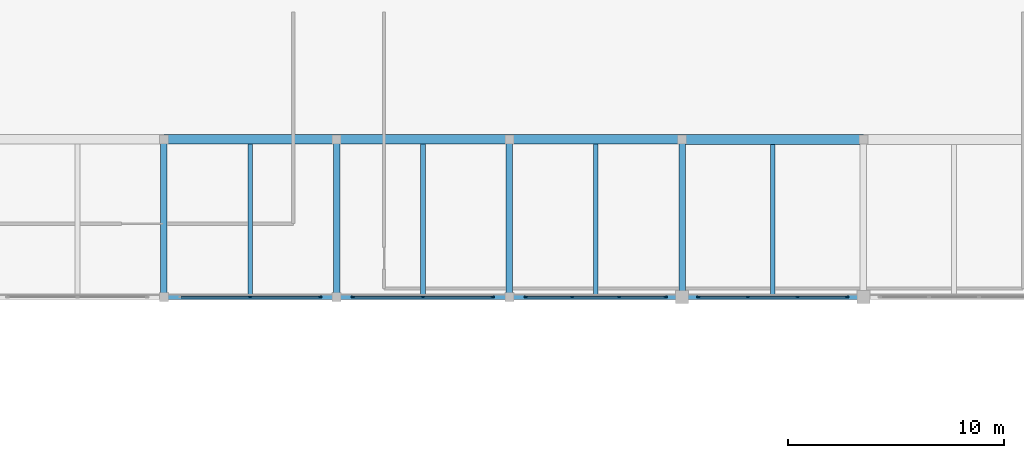
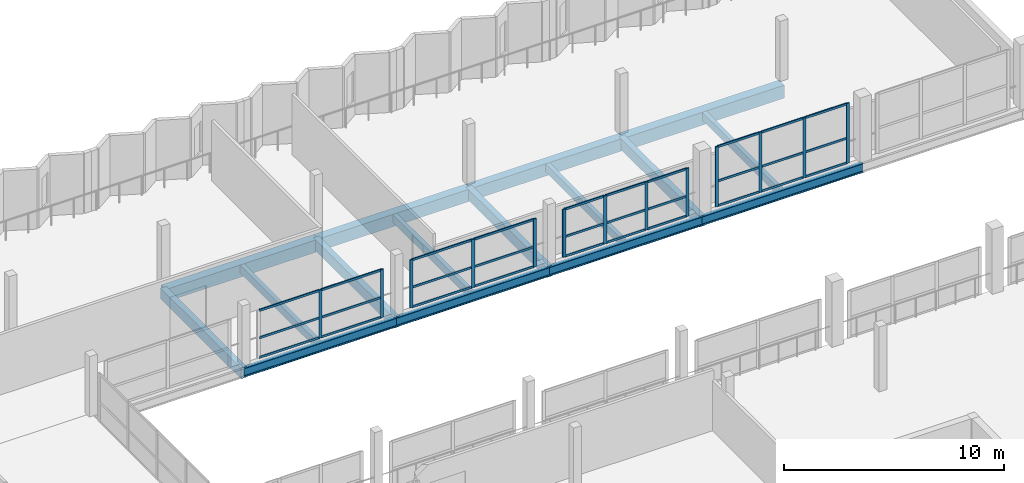
# One storey, part 23 of 51: 43 members, 16 beams, 4 elements without a shape of their own.
"""IFC4 building model written with IfcOpenShell, lengths in metres."""

import ifcopenshell
import ifcopenshell.guid

model = None  # the IFC model being written
_history = None  # IfcOwnerHistory: only IFC2X3 demands one
_inside = {}  # id of a spatial element -> (the spatial element, [elements in it])
_under = {}  # id of a project, library or spatial element -> (it, [spatial elements below it])
_declared = {}  # id of a project -> (the project, [libraries it declares])
_typed = {}  # id of a type object -> (the type object, [elements of that type])
_made_of = {}  # id of a material, layer set ... -> (it, [elements and type objects made of it])


def new_model(schema):
    """Start an empty IFC model of exactly this schema.

    Asked for "IFC4X3", IfcOpenShell would pick the latest addendum, in which some entities
    have other attributes; the version numbers below select the first issue.
    IFC2X3 requires an IfcOwnerHistory on every rooted entity: one is made here for all.
    """
    global model, _history
    if schema == "IFC4X3":
        model = ifcopenshell.file(schema_version=(4, 3, 0, 0))
    else:
        model = ifcopenshell.file(schema=schema)
    _inside.clear()
    _under.clear()
    _declared.clear()
    _typed.clear()
    _made_of.clear()
    _history = None
    if model.schema == "IFC2X3":
        org = make("IfcOrganization", Name="unknown")
        user = make(
            "IfcPersonAndOrganization",
            ThePerson=make("IfcPerson", FamilyName="unknown"),
            TheOrganization=org,
        )
        app = make(
            "IfcApplication",
            ApplicationDeveloper=org,
            Version="unknown",
            ApplicationFullName="unknown",
            ApplicationIdentifier="unknown",
        )
        _history = make(
            "IfcOwnerHistory",
            OwningUser=user,
            OwningApplication=app,
            ChangeAction="ADDED",
            CreationDate=0,
        )
    return model


def make(cls, **values):
    """One entity of the class cls with the attributes given. An attribute that is None is left unset."""
    return model.create_entity(
        cls, **{name: value for name, value in values.items() if value is not None}
    )


def rooted(cls, **values):
    """An entity with a GlobalId (a new one), such as an element, a storey or a relation."""
    return make(cls, GlobalId=ifcopenshell.guid.new(), OwnerHistory=_history, **values)


def si_unit(unit_type, name, prefix=None):
    """IfcSIUnit, for example si_unit("LENGTHUNIT", "METRE", prefix="MILLI")."""
    return make("IfcSIUnit", UnitType=unit_type, Prefix=prefix, Name=name)


def assignment(units):
    """IfcUnitAssignment: the units of a project."""
    return None if units is None else make("IfcUnitAssignment", Units=units)


def point(xyz):
    """IfcCartesianPoint."""
    return None if xyz is None else make("IfcCartesianPoint", Coordinates=xyz)


def direction(xyz):
    """IfcDirection."""
    return None if xyz is None else make("IfcDirection", DirectionRatios=xyz)


def frame(location, z_axis=None, x_axis=None):
    """IfcAxis2Placement3D, a coordinate frame: its origin and axes. An axis left out is left unset."""
    return make(
        "IfcAxis2Placement3D",
        Location=point(location),
        Axis=direction(z_axis),
        RefDirection=direction(x_axis),
    )


def frame_2d(location, x_axis=None):
    """IfcAxis2Placement2D, a coordinate frame in the plane: its origin and x axis."""
    return make(
        "IfcAxis2Placement2D", Location=point(location), RefDirection=direction(x_axis)
    )


def origin():
    """The frame at (0, 0, 0) with its axes left unset."""
    return frame((0.0, 0.0, 0.0))


def origin_2d():
    """The frame at (0, 0) in the plane with its x axis left unset."""
    return frame_2d((0.0, 0.0))


def place(relative_to, where):
    """IfcLocalPlacement: puts the frame where relative to a parent placement (None: the world)."""
    return make(
        "IfcLocalPlacement", PlacementRelTo=relative_to, RelativePlacement=where
    )


def context(
    kind, dimensions, precision=None, world=None, true_north=None, identifier=None
):
    """IfcGeometricRepresentationContext, for example the 3D "Model" context."""
    return make(
        "IfcGeometricRepresentationContext",
        ContextIdentifier=identifier,
        ContextType=kind,
        CoordinateSpaceDimension=dimensions,
        Precision=precision,
        WorldCoordinateSystem=world,
        TrueNorth=true_north,
    )


def subcontext(parent, identifier, kind, view, scale=None):
    """IfcGeometricRepresentationSubContext, for example "Body" below "Model"."""
    return make(
        "IfcGeometricRepresentationSubContext",
        ContextIdentifier=identifier,
        ContextType=kind,
        ParentContext=parent,
        TargetScale=scale,
        TargetView=view,
    )


def project(units=None, contexts=None):
    """IfcProject with its units and contexts."""
    return rooted(
        "IfcProject",
        Name="project",
        RepresentationContexts=contexts,
        UnitsInContext=assignment(units),
    )


def spatial(cls, under=None, at=None, **own):
    """A site, building, storey or space (cls), placed at a placement, below another one or the project."""
    s = rooted(cls, ObjectPlacement=at, **own)
    if under is not None:
        _under.setdefault(under.id(), (under, []))[1].append(s)
    return s


def profile(cls, at=None, kind="AREA", **sizes):
    """A parametric profile (cls). Its sizes go by their IFC names, for example OverallWidth=200.0."""
    return make(cls, ProfileType=kind, Position=at, **sizes)


def rectangle(**sizes):
    """IfcRectangleProfileDef."""
    return profile("IfcRectangleProfileDef", **sizes)


def i_section(**sizes):
    """IfcIShapeProfileDef."""
    return profile("IfcIShapeProfileDef", **sizes)


def extrude(swept, where, along, depth):
    """IfcExtrudedAreaSolid: the profile swept, set in the frame where, extruded along a direction by depth."""
    return make(
        "IfcExtrudedAreaSolid",
        SweptArea=swept,
        Position=where,
        ExtrudedDirection=direction(along),
        Depth=depth,
    )


def shape(context_of_items, identifier, shape_type, items):
    """IfcShapeRepresentation: the items that make up one representation, for example the "Body"."""
    return make(
        "IfcShapeRepresentation",
        ContextOfItems=context_of_items,
        RepresentationIdentifier=identifier,
        RepresentationType=shape_type,
        Items=items,
    )


def material(Name=None, Category=None):
    """IfcMaterial."""
    return make("IfcMaterial", Name=Name, Category=Category)


def material_profile(
    of_material, cross_section, Name=None, Category=None, Priority=None
):
    """IfcMaterialProfile: a cross section and its material."""
    return make(
        "IfcMaterialProfile",
        Name=Name,
        Material=of_material,
        Profile=cross_section,
        Priority=Priority,
        Category=Category,
    )


def profile_set(profiles, Name=None, composite=None):
    """IfcMaterialProfileSet."""
    return make(
        "IfcMaterialProfileSet",
        Name=Name,
        MaterialProfiles=profiles,
        CompositeProfile=composite,
    )


def made_of(thing, what):
    """Note that an element or type object is made of a material, layer set ...; save() writes the relation."""
    if what is not None:
        _made_of.setdefault(what.id(), (what, []))[1].append(thing)
    return thing


def type_object(cls, material=None, **own):
    """A type object (cls), such as IfcWallType, which elements share."""
    return made_of(rooted(cls, **own), material)


def element(
    cls,
    number,
    at=None,
    inside=None,
    cuts=None,
    type_object=None,
    material=None,
    context=None,
    identifier="Body",
    shape_type=None,
    held_by="IfcProductDefinitionShape",
    body=None,
    shapes=None,
    **own,
):
    """One element of the class cls, such as IfcWall. Its Tag is "e" and its number.

    at: its placement. inside: the storey or other place that contains it. cuts: it is an
    opening in that element (IfcRelVoidsElement). A single representation is given by context,
    identifier, shape_type and body (its items); several are given by shapes. held_by: the class
    of the entity that holds the representations. save() writes the other relations.
    """
    e = rooted(cls, Tag="e%d" % number, ObjectPlacement=at, **own)
    if body is not None:
        shapes = [shape(context, identifier, shape_type, body)]
    if shapes is not None:
        e.Representation = make(held_by, Representations=shapes)
    if inside is not None:
        _inside.setdefault(inside.id(), (inside, []))[1].append(e)
    if cuts is not None:
        rooted(
            "IfcRelVoidsElement", RelatingBuildingElement=cuts, RelatedOpeningElement=e
        )
    if type_object is not None:
        _typed.setdefault(type_object.id(), (type_object, []))[1].append(e)
    return made_of(e, material)


def aggregate(whole, parts):
    """IfcRelAggregates: a whole, such as a stair, and the parts it consists of."""
    return rooted("IfcRelAggregates", RelatingObject=whole, RelatedObjects=parts)


def save(model, path):
    """Write the relations noted so far, then the file.

    IfcRelAggregates (storeys below a building ...), IfcRelContainedInSpatialStructure (elements
    in a storey), IfcRelDefinesByType, IfcRelAssociatesMaterial and IfcRelDeclares: one each for
    every whole, place, type object, material and project.
    """
    for whole, parts in _under.values():
        aggregate(whole, parts)
    for where, things in _inside.values():
        rooted(
            "IfcRelContainedInSpatialStructure",
            RelatedElements=things,
            RelatingStructure=where,
        )
    for kind, things in _typed.values():
        rooted("IfcRelDefinesByType", RelatedObjects=things, RelatingType=kind)
    for what, things in _made_of.values():
        rooted("IfcRelAssociatesMaterial", RelatedObjects=things, RelatingMaterial=what)
    for by, libraries in _declared.values():
        rooted("IfcRelDeclares", RelatingContext=by, RelatedDefinitions=libraries)
    model.write(path)


model = new_model("IFC4")

# Units and contexts
model_context = context("Model", 3, precision=1e-05, world=origin(), true_north=direction((0.0, 1.0)))
body_context = subcontext(model_context, "Body", "Model", "MODEL_VIEW")
ifc_project = project(units=[si_unit("LENGTHUNIT", "METRE"), si_unit("AREAUNIT", "SQUARE_METRE"), si_unit("VOLUMEUNIT", "CUBIC_METRE"), si_unit("PLANEANGLEUNIT", "RADIAN"), si_unit("MASSUNIT", "GRAM", prefix="KILO")], contexts=[model_context])

# Site, building, storey
site_placement = place(None, origin())
site = spatial("IfcSite", under=ifc_project, at=site_placement, CompositionType="ELEMENT")
building_placement = place(site_placement, origin())
building = spatial("IfcBuilding", under=site, at=building_placement, Name="Vharandega Faculty of Natural Sciences", CompositionType="ELEMENT")
storey_placement = place(building_placement, frame((0.0, 0.0, 14.39990234375)))
storey = spatial("IfcBuildingStorey", under=building, at=storey_placement, Name="L03", CompositionType="ELEMENT", Elevation=14.39990234375)

# Curtain wall, members
ifc_material_1 = material(Name="Aluminium and solar-control glass curtain wall", Category="aluminium")
curtain_wall_type_1 = type_object("IfcCurtainWallType", Name="Unitised Curtain Wall System CW-13", PredefinedType="NOTDEFINED", material=ifc_material_1)
curtain_wall_1_placement = place(storey_placement, origin())
curtain_wall_1 = element("IfcCurtainWall", 1, at=curtain_wall_1_placement, inside=storey, type_object=curtain_wall_type_1, Name="Curtain Wall CW-L03-068", PredefinedType="NOTDEFINED")
ifc_material_2 = material(Name="Thermally broken aluminium 6063-T6", Category="aluminium")
ifc_material_profile_1 = material_profile(ifc_material_2, rectangle(XDim=0.06005859375, YDim=0.159912109375, at=origin_2d()), Name="ALU 60x160")
ifc_profile_set_1 = profile_set([ifc_material_profile_1], Name="Thermally broken aluminium 6063-T6")
member_type_1 = type_object("IfcMemberType", Name="CW Mullion 60x160", PredefinedType="MULLION", material=ifc_profile_set_1)
member_1_placement = place(storey_placement, frame((36.0, 97.0, 0.0), z_axis=(0.0, 0.0, 1.0), x_axis=(0.0, 1.0, 0.0)))
member_1 = element("IfcMember", 2, at=member_1_placement, type_object=member_type_1, Name="CW-13 mullion 2", PredefinedType="MULLION", context=body_context, shape_type="SweptSolid", body=[
    extrude(rectangle(XDim=0.06005859375, YDim=0.159912109375, at=origin_2d()), origin(), (0.0, 0.0, 1.0), 2.66015625),
])
member_2_placement = place(storey_placement, frame((39.22998046875, 97.0, 0.0), z_axis=(0.0, 0.0, 1.0), x_axis=(0.0, 1.0, 0.0)))
member_2 = element("IfcMember", 3, at=member_2_placement, type_object=member_type_1, Name="CW-13 mullion 3", PredefinedType="MULLION", context=body_context, shape_type="SweptSolid", body=[
    extrude(rectangle(XDim=0.06005859375, YDim=0.159912109375, at=origin_2d()), origin(), (0.0, 0.0, 1.0), 2.66015625),
])

ifc_material_3 = material(Name="Aluminium and solar-control glass curtain wall", Category="aluminium")
curtain_wall_type_2 = type_object("IfcCurtainWallType", Name="Unitised Curtain Wall System CW-14", PredefinedType="NOTDEFINED", material=ifc_material_3)
curtain_wall_2_placement = place(storey_placement, origin())
curtain_wall_2 = element("IfcCurtainWall", 4, at=curtain_wall_2_placement, inside=storey, type_object=curtain_wall_type_2, Name="Curtain Wall CW-L03-069", PredefinedType="NOTDEFINED")
member_3_placement = place(storey_placement, frame((40.77001953125, 97.0, 0.0), z_axis=(0.0, 0.0, 1.0), x_axis=(0.0, 1.0, 0.0)))
member_3 = element("IfcMember", 5, at=member_3_placement, type_object=member_type_1, Name="CW-14 mullion 1", PredefinedType="MULLION", context=body_context, shape_type="SweptSolid", body=[
    extrude(rectangle(XDim=0.06005859375, YDim=0.159912109375, at=origin_2d()), origin(), (0.0, 0.0, 1.0), 2.66015625),
])
member_4_placement = place(storey_placement, frame((44.0, 97.0, 0.0), z_axis=(0.0, 0.0, 1.0), x_axis=(0.0, 1.0, 0.0)))
member_4 = element("IfcMember", 6, at=member_4_placement, type_object=member_type_1, Name="CW-14 mullion 2", PredefinedType="MULLION", context=body_context, shape_type="SweptSolid", body=[
    extrude(rectangle(XDim=0.06005859375, YDim=0.159912109375, at=origin_2d()), origin(), (0.0, 0.0, 1.0), 2.66015625),
])
member_5_placement = place(storey_placement, frame((47.22998046875, 97.0, 0.0), z_axis=(0.0, 0.0, 1.0), x_axis=(0.0, 1.0, 0.0)))
member_5 = element("IfcMember", 7, at=member_5_placement, type_object=member_type_1, Name="CW-14 mullion 3", PredefinedType="MULLION", context=body_context, shape_type="SweptSolid", body=[
    extrude(rectangle(XDim=0.06005859375, YDim=0.159912109375, at=origin_2d()), origin(), (0.0, 0.0, 1.0), 2.66015625),
])

ifc_material_4 = material(Name="Aluminium and solar-control glass curtain wall", Category="aluminium")
curtain_wall_type_3 = type_object("IfcCurtainWallType", Name="Unitised Curtain Wall System CW-15", PredefinedType="NOTDEFINED", material=ifc_material_4)
curtain_wall_3_placement = place(storey_placement, origin())
curtain_wall_3 = element("IfcCurtainWall", 8, at=curtain_wall_3_placement, inside=storey, type_object=curtain_wall_type_3, Name="Curtain Wall CW-L03-070", PredefinedType="NOTDEFINED")
member_6_placement = place(storey_placement, frame((48.77001953125, 97.0, 0.0), z_axis=(0.0, 0.0, 1.0), x_axis=(0.0, 1.0, 0.0)))
member_6 = element("IfcMember", 9, at=member_6_placement, type_object=member_type_1, Name="CW-15 mullion 1", PredefinedType="MULLION", context=body_context, shape_type="SweptSolid", body=[
    extrude(rectangle(XDim=0.06005859375, YDim=0.159912109375, at=origin_2d()), origin(), (0.0, 0.0, 1.0), 2.66015625),
])
member_7_placement = place(storey_placement, frame((50.913330078125, 97.0, 0.0), z_axis=(0.0, 0.0, 1.0), x_axis=(0.0, 1.0, 0.0)))
member_7 = element("IfcMember", 10, at=member_7_placement, type_object=member_type_1, Name="CW-15 mullion 2", PredefinedType="MULLION", context=body_context, shape_type="SweptSolid", body=[
    extrude(rectangle(XDim=0.06005859375, YDim=0.159912109375, at=origin_2d()), origin(), (0.0, 0.0, 1.0), 2.66015625),
])
member_8_placement = place(storey_placement, frame((53.086669921875, 97.0, 0.0), z_axis=(0.0, 0.0, 1.0), x_axis=(0.0, 1.0, 0.0)))
member_8 = element("IfcMember", 11, at=member_8_placement, type_object=member_type_1, Name="CW-15 mullion 3", PredefinedType="MULLION", context=body_context, shape_type="SweptSolid", body=[
    extrude(rectangle(XDim=0.06005859375, YDim=0.159912109375, at=origin_2d()), origin(), (0.0, 0.0, 1.0), 2.66015625),
])
member_9_placement = place(storey_placement, frame((55.22998046875, 97.0, 0.0), z_axis=(0.0, 0.0, 1.0), x_axis=(0.0, 1.0, 0.0)))
member_9 = element("IfcMember", 12, at=member_9_placement, type_object=member_type_1, Name="CW-15 mullion 4", PredefinedType="MULLION", context=body_context, shape_type="SweptSolid", body=[
    extrude(rectangle(XDim=0.06005859375, YDim=0.159912109375, at=origin_2d()), origin(), (0.0, 0.0, 1.0), 2.66015625),
])

ifc_material_5 = material(Name="Aluminium and solar-control glass curtain wall", Category="aluminium")
curtain_wall_type_4 = type_object("IfcCurtainWallType", Name="Unitised Curtain Wall System CW-16", PredefinedType="NOTDEFINED", material=ifc_material_5)
curtain_wall_4_placement = place(storey_placement, origin())
curtain_wall_4 = element("IfcCurtainWall", 13, at=curtain_wall_4_placement, inside=storey, type_object=curtain_wall_type_4, Name="Curtain Wall CW-L03-071", PredefinedType="NOTDEFINED")
member_10_placement = place(storey_placement, frame((56.77001953125, 97.0, 0.0), z_axis=(0.0, 0.0, 1.0), x_axis=(0.0, 1.0, 0.0)))
member_10 = element("IfcMember", 14, at=member_10_placement, type_object=member_type_1, Name="CW-16 mullion 1", PredefinedType="MULLION", context=body_context, shape_type="SweptSolid", body=[
    extrude(rectangle(XDim=0.06005859375, YDim=0.159912109375, at=origin_2d()), origin(), (0.0, 0.0, 1.0), 3.320068359375),
])
member_11_placement = place(storey_placement, frame((59.046630859375, 97.0, 0.0), z_axis=(0.0, 0.0, 1.0), x_axis=(0.0, 1.0, 0.0)))
member_11 = element("IfcMember", 15, at=member_11_placement, type_object=member_type_1, Name="CW-16 mullion 2", PredefinedType="MULLION", context=body_context, shape_type="SweptSolid", body=[
    extrude(rectangle(XDim=0.06005859375, YDim=0.159912109375, at=origin_2d()), origin(), (0.0, 0.0, 1.0), 3.320068359375),
])
member_12_placement = place(storey_placement, frame((61.353271484375, 97.0, 0.0), z_axis=(0.0, 0.0, 1.0), x_axis=(0.0, 1.0, 0.0)))
member_12 = element("IfcMember", 16, at=member_12_placement, type_object=member_type_1, Name="CW-16 mullion 3", PredefinedType="MULLION", context=body_context, shape_type="SweptSolid", body=[
    extrude(rectangle(XDim=0.06005859375, YDim=0.159912109375, at=origin_2d()), origin(), (0.0, 0.0, 1.0), 3.320068359375),
])
member_13_placement = place(storey_placement, frame((63.6298828125, 97.0, 0.0), z_axis=(0.0, 0.0, 1.0), x_axis=(0.0, 1.0, 0.0)))
member_13 = element("IfcMember", 17, at=member_13_placement, type_object=member_type_1, Name="CW-16 mullion 4", PredefinedType="MULLION", context=body_context, shape_type="SweptSolid", body=[
    extrude(rectangle(XDim=0.06005859375, YDim=0.159912109375, at=origin_2d()), origin(), (0.0, 0.0, 1.0), 3.320068359375),
])

# Member
ifc_material_6 = material(Name="Thermally broken aluminium 6063-T6", Category="aluminium")
ifc_material_profile_2 = material_profile(ifc_material_6, rectangle(XDim=0.06005859375, YDim=0.1201171875, at=origin_2d()), Name="ALU 60x120")
ifc_profile_set_2 = profile_set([ifc_material_profile_2], Name="Thermally broken aluminium 6063-T6")
member_type_2 = type_object("IfcMemberType", Name="CW Transom 60x120", PredefinedType="USERDEFINED", material=ifc_profile_set_2)
member_14_placement = place(storey_placement, frame((32.800048828125, 97.0, 0.030029296875), z_axis=(1.0, 0.0, 0.0), x_axis=(0.0, 1.0, 0.0)))
member_14 = element("IfcMember", 18, at=member_14_placement, type_object=member_type_2, Name="CW-13 transom 1.1", ObjectType="TRANSOM", PredefinedType="USERDEFINED", context=body_context, shape_type="SweptSolid", body=[
    extrude(rectangle(XDim=0.06005859375, YDim=0.1201171875, at=origin_2d()), origin(), (0.0, 0.0, 1.0), 3.169921875),
])

member_15_placement = place(storey_placement, frame((32.800048828125, 97.0, 1.1171875), z_axis=(1.0, 0.0, 0.0), x_axis=(0.0, 1.0, 0.0)))
member_15 = element("IfcMember", 19, at=member_15_placement, type_object=member_type_2, Name="CW-13 transom 1.2", ObjectType="TRANSOM", PredefinedType="USERDEFINED", context=body_context, shape_type="SweptSolid", body=[
    extrude(rectangle(XDim=0.06005859375, YDim=0.1201171875, at=origin_2d()), origin(), (0.0, 0.0, 1.0), 3.169921875),
])

member_16_placement = place(storey_placement, frame((32.800048828125, 97.0, 2.630126953125), z_axis=(1.0, 0.0, 0.0), x_axis=(0.0, 1.0, 0.0)))
member_16 = element("IfcMember", 20, at=member_16_placement, type_object=member_type_2, Name="CW-13 transom 1.3", ObjectType="TRANSOM", PredefinedType="USERDEFINED", context=body_context, shape_type="SweptSolid", body=[
    extrude(rectangle(XDim=0.06005859375, YDim=0.1201171875, at=origin_2d()), origin(), (0.0, 0.0, 1.0), 3.169921875),
])

member_17_placement = place(storey_placement, frame((36.030029296875, 97.0, 0.030029296875), z_axis=(1.0, 0.0, 0.0), x_axis=(0.0, 1.0, 0.0)))
member_17 = element("IfcMember", 21, at=member_17_placement, type_object=member_type_2, Name="CW-13 transom 2.1", ObjectType="TRANSOM", PredefinedType="USERDEFINED", context=body_context, shape_type="SweptSolid", body=[
    extrude(rectangle(XDim=0.06005859375, YDim=0.1201171875, at=origin_2d()), origin(), (0.0, 0.0, 1.0), 3.169921875),
])

member_18_placement = place(storey_placement, frame((36.030029296875, 97.0, 1.1171875), z_axis=(1.0, 0.0, 0.0), x_axis=(0.0, 1.0, 0.0)))
member_18 = element("IfcMember", 22, at=member_18_placement, type_object=member_type_2, Name="CW-13 transom 2.2", ObjectType="TRANSOM", PredefinedType="USERDEFINED", context=body_context, shape_type="SweptSolid", body=[
    extrude(rectangle(XDim=0.06005859375, YDim=0.1201171875, at=origin_2d()), origin(), (0.0, 0.0, 1.0), 3.169921875),
])

member_19_placement = place(storey_placement, frame((36.030029296875, 97.0, 2.630126953125), z_axis=(1.0, 0.0, 0.0), x_axis=(0.0, 1.0, 0.0)))
member_19 = element("IfcMember", 23, at=member_19_placement, type_object=member_type_2, Name="CW-13 transom 2.3", ObjectType="TRANSOM", PredefinedType="USERDEFINED", context=body_context, shape_type="SweptSolid", body=[
    extrude(rectangle(XDim=0.06005859375, YDim=0.1201171875, at=origin_2d()), origin(), (0.0, 0.0, 1.0), 3.169921875),
])

aggregate(curtain_wall_1, [member_1, member_2, member_14, member_15, member_16, member_17, member_18, member_19])

member_20_placement = place(storey_placement, frame((40.800048828125, 97.0, 0.030029296875), z_axis=(1.0, 0.0, 0.0), x_axis=(0.0, 1.0, 0.0)))
member_20 = element("IfcMember", 24, at=member_20_placement, type_object=member_type_2, Name="CW-14 transom 1.1", ObjectType="TRANSOM", PredefinedType="USERDEFINED", context=body_context, shape_type="SweptSolid", body=[
    extrude(rectangle(XDim=0.06005859375, YDim=0.1201171875, at=origin_2d()), origin(), (0.0, 0.0, 1.0), 3.169921875),
])

member_21_placement = place(storey_placement, frame((40.800048828125, 97.0, 1.1171875), z_axis=(1.0, 0.0, 0.0), x_axis=(0.0, 1.0, 0.0)))
member_21 = element("IfcMember", 25, at=member_21_placement, type_object=member_type_2, Name="CW-14 transom 1.2", ObjectType="TRANSOM", PredefinedType="USERDEFINED", context=body_context, shape_type="SweptSolid", body=[
    extrude(rectangle(XDim=0.06005859375, YDim=0.1201171875, at=origin_2d()), origin(), (0.0, 0.0, 1.0), 3.169921875),
])

member_22_placement = place(storey_placement, frame((40.800048828125, 97.0, 2.630126953125), z_axis=(1.0, 0.0, 0.0), x_axis=(0.0, 1.0, 0.0)))
member_22 = element("IfcMember", 26, at=member_22_placement, type_object=member_type_2, Name="CW-14 transom 1.3", ObjectType="TRANSOM", PredefinedType="USERDEFINED", context=body_context, shape_type="SweptSolid", body=[
    extrude(rectangle(XDim=0.06005859375, YDim=0.1201171875, at=origin_2d()), origin(), (0.0, 0.0, 1.0), 3.169921875),
])

member_23_placement = place(storey_placement, frame((44.030029296875, 97.0, 0.030029296875), z_axis=(1.0, 0.0, 0.0), x_axis=(0.0, 1.0, 0.0)))
member_23 = element("IfcMember", 27, at=member_23_placement, type_object=member_type_2, Name="CW-14 transom 2.1", ObjectType="TRANSOM", PredefinedType="USERDEFINED", context=body_context, shape_type="SweptSolid", body=[
    extrude(rectangle(XDim=0.06005859375, YDim=0.1201171875, at=origin_2d()), origin(), (0.0, 0.0, 1.0), 3.169921875),
])

member_24_placement = place(storey_placement, frame((44.030029296875, 97.0, 1.1171875), z_axis=(1.0, 0.0, 0.0), x_axis=(0.0, 1.0, 0.0)))
member_24 = element("IfcMember", 28, at=member_24_placement, type_object=member_type_2, Name="CW-14 transom 2.2", ObjectType="TRANSOM", PredefinedType="USERDEFINED", context=body_context, shape_type="SweptSolid", body=[
    extrude(rectangle(XDim=0.06005859375, YDim=0.1201171875, at=origin_2d()), origin(), (0.0, 0.0, 1.0), 3.169921875),
])

member_25_placement = place(storey_placement, frame((44.030029296875, 97.0, 2.630126953125), z_axis=(1.0, 0.0, 0.0), x_axis=(0.0, 1.0, 0.0)))
member_25 = element("IfcMember", 29, at=member_25_placement, type_object=member_type_2, Name="CW-14 transom 2.3", ObjectType="TRANSOM", PredefinedType="USERDEFINED", context=body_context, shape_type="SweptSolid", body=[
    extrude(rectangle(XDim=0.06005859375, YDim=0.1201171875, at=origin_2d()), origin(), (0.0, 0.0, 1.0), 3.169921875),
])

aggregate(curtain_wall_2, [member_3, member_4, member_5, member_20, member_21, member_22, member_23, member_24, member_25])

member_26_placement = place(storey_placement, frame((48.800048828125, 97.0, 0.030029296875), z_axis=(1.0, 0.0, 0.0), x_axis=(0.0, 1.0, 0.0)))
member_26 = element("IfcMember", 30, at=member_26_placement, type_object=member_type_2, Name="CW-15 transom 1.1", ObjectType="TRANSOM", PredefinedType="USERDEFINED", context=body_context, shape_type="SweptSolid", body=[
    extrude(rectangle(XDim=0.06005859375, YDim=0.1201171875, at=origin_2d()), origin(), (0.0, 0.0, 1.0), 2.083251953125),
])

member_27_placement = place(storey_placement, frame((48.800048828125, 97.0, 1.1171875), z_axis=(1.0, 0.0, 0.0), x_axis=(0.0, 1.0, 0.0)))
member_27 = element("IfcMember", 31, at=member_27_placement, type_object=member_type_2, Name="CW-15 transom 1.2", ObjectType="TRANSOM", PredefinedType="USERDEFINED", context=body_context, shape_type="SweptSolid", body=[
    extrude(rectangle(XDim=0.06005859375, YDim=0.1201171875, at=origin_2d()), origin(), (0.0, 0.0, 1.0), 2.083251953125),
])

member_28_placement = place(storey_placement, frame((48.800048828125, 97.0, 2.630126953125), z_axis=(1.0, 0.0, 0.0), x_axis=(0.0, 1.0, 0.0)))
member_28 = element("IfcMember", 32, at=member_28_placement, type_object=member_type_2, Name="CW-15 transom 1.3", ObjectType="TRANSOM", PredefinedType="USERDEFINED", context=body_context, shape_type="SweptSolid", body=[
    extrude(rectangle(XDim=0.06005859375, YDim=0.1201171875, at=origin_2d()), origin(), (0.0, 0.0, 1.0), 2.083251953125),
])

member_29_placement = place(storey_placement, frame((50.943359375, 97.0, 0.030029296875), z_axis=(1.0, 0.0, 0.0), x_axis=(0.0, 1.0, 0.0)))
member_29 = element("IfcMember", 33, at=member_29_placement, type_object=member_type_2, Name="CW-15 transom 2.1", ObjectType="TRANSOM", PredefinedType="USERDEFINED", context=body_context, shape_type="SweptSolid", body=[
    extrude(rectangle(XDim=0.06005859375, YDim=0.1201171875, at=origin_2d()), origin(), (0.0, 0.0, 1.0), 2.11328125),
])

member_30_placement = place(storey_placement, frame((50.943359375, 97.0, 1.1171875), z_axis=(1.0, 0.0, 0.0), x_axis=(0.0, 1.0, 0.0)))
member_30 = element("IfcMember", 34, at=member_30_placement, type_object=member_type_2, Name="CW-15 transom 2.2", ObjectType="TRANSOM", PredefinedType="USERDEFINED", context=body_context, shape_type="SweptSolid", body=[
    extrude(rectangle(XDim=0.06005859375, YDim=0.1201171875, at=origin_2d()), origin(), (0.0, 0.0, 1.0), 2.11328125),
])

member_31_placement = place(storey_placement, frame((50.943359375, 97.0, 2.630126953125), z_axis=(1.0, 0.0, 0.0), x_axis=(0.0, 1.0, 0.0)))
member_31 = element("IfcMember", 35, at=member_31_placement, type_object=member_type_2, Name="CW-15 transom 2.3", ObjectType="TRANSOM", PredefinedType="USERDEFINED", context=body_context, shape_type="SweptSolid", body=[
    extrude(rectangle(XDim=0.06005859375, YDim=0.1201171875, at=origin_2d()), origin(), (0.0, 0.0, 1.0), 2.11328125),
])

member_32_placement = place(storey_placement, frame((53.11669921875, 97.0, 0.030029296875), z_axis=(1.0, 0.0, 0.0), x_axis=(0.0, 1.0, 0.0)))
member_32 = element("IfcMember", 36, at=member_32_placement, type_object=member_type_2, Name="CW-15 transom 3.1", ObjectType="TRANSOM", PredefinedType="USERDEFINED", context=body_context, shape_type="SweptSolid", body=[
    extrude(rectangle(XDim=0.06005859375, YDim=0.1201171875, at=origin_2d()), origin(), (0.0, 0.0, 1.0), 2.083251953125),
])

member_33_placement = place(storey_placement, frame((53.11669921875, 97.0, 1.1171875), z_axis=(1.0, 0.0, 0.0), x_axis=(0.0, 1.0, 0.0)))
member_33 = element("IfcMember", 37, at=member_33_placement, type_object=member_type_2, Name="CW-15 transom 3.2", ObjectType="TRANSOM", PredefinedType="USERDEFINED", context=body_context, shape_type="SweptSolid", body=[
    extrude(rectangle(XDim=0.06005859375, YDim=0.1201171875, at=origin_2d()), origin(), (0.0, 0.0, 1.0), 2.083251953125),
])

member_34_placement = place(storey_placement, frame((53.11669921875, 97.0, 2.630126953125), z_axis=(1.0, 0.0, 0.0), x_axis=(0.0, 1.0, 0.0)))
member_34 = element("IfcMember", 38, at=member_34_placement, type_object=member_type_2, Name="CW-15 transom 3.3", ObjectType="TRANSOM", PredefinedType="USERDEFINED", context=body_context, shape_type="SweptSolid", body=[
    extrude(rectangle(XDim=0.06005859375, YDim=0.1201171875, at=origin_2d()), origin(), (0.0, 0.0, 1.0), 2.083251953125),
])

aggregate(curtain_wall_3, [member_6, member_7, member_8, member_9, member_26, member_27, member_28, member_29, member_30, member_31, member_32, member_33, member_34])

member_35_placement = place(storey_placement, frame((56.800048828125, 97.0, 0.030029296875), z_axis=(1.0, 0.0, 0.0), x_axis=(0.0, 1.0, 0.0)))
member_35 = element("IfcMember", 39, at=member_35_placement, type_object=member_type_2, Name="CW-16 transom 1.1", ObjectType="TRANSOM", PredefinedType="USERDEFINED", context=body_context, shape_type="SweptSolid", body=[
    extrude(rectangle(XDim=0.06005859375, YDim=0.1201171875, at=origin_2d()), origin(), (0.0, 0.0, 1.0), 2.216552734375),
])

member_36_placement = place(storey_placement, frame((56.800048828125, 97.0, 1.39453125), z_axis=(1.0, 0.0, 0.0), x_axis=(0.0, 1.0, 0.0)))
member_36 = element("IfcMember", 40, at=member_36_placement, type_object=member_type_2, Name="CW-16 transom 1.2", ObjectType="TRANSOM", PredefinedType="USERDEFINED", context=body_context, shape_type="SweptSolid", body=[
    extrude(rectangle(XDim=0.06005859375, YDim=0.1201171875, at=origin_2d()), origin(), (0.0, 0.0, 1.0), 2.216552734375),
])

member_37_placement = place(storey_placement, frame((56.800048828125, 97.0, 3.2900390625), z_axis=(1.0, 0.0, 0.0), x_axis=(0.0, 1.0, 0.0)))
member_37 = element("IfcMember", 41, at=member_37_placement, type_object=member_type_2, Name="CW-16 transom 1.3", ObjectType="TRANSOM", PredefinedType="USERDEFINED", context=body_context, shape_type="SweptSolid", body=[
    extrude(rectangle(XDim=0.06005859375, YDim=0.1201171875, at=origin_2d()), origin(), (0.0, 0.0, 1.0), 2.216552734375),
])

member_38_placement = place(storey_placement, frame((59.07666015625, 97.0, 0.030029296875), z_axis=(1.0, 0.0, 0.0), x_axis=(0.0, 1.0, 0.0)))
member_38 = element("IfcMember", 42, at=member_38_placement, type_object=member_type_2, Name="CW-16 transom 2.1", ObjectType="TRANSOM", PredefinedType="USERDEFINED", context=body_context, shape_type="SweptSolid", body=[
    extrude(rectangle(XDim=0.06005859375, YDim=0.1201171875, at=origin_2d()), origin(), (0.0, 0.0, 1.0), 2.24658203125),
])

member_39_placement = place(storey_placement, frame((59.07666015625, 97.0, 1.39453125), z_axis=(1.0, 0.0, 0.0), x_axis=(0.0, 1.0, 0.0)))
member_39 = element("IfcMember", 43, at=member_39_placement, type_object=member_type_2, Name="CW-16 transom 2.2", ObjectType="TRANSOM", PredefinedType="USERDEFINED", context=body_context, shape_type="SweptSolid", body=[
    extrude(rectangle(XDim=0.06005859375, YDim=0.1201171875, at=origin_2d()), origin(), (0.0, 0.0, 1.0), 2.24658203125),
])

member_40_placement = place(storey_placement, frame((59.07666015625, 97.0, 3.2900390625), z_axis=(1.0, 0.0, 0.0), x_axis=(0.0, 1.0, 0.0)))
member_40 = element("IfcMember", 44, at=member_40_placement, type_object=member_type_2, Name="CW-16 transom 2.3", ObjectType="TRANSOM", PredefinedType="USERDEFINED", context=body_context, shape_type="SweptSolid", body=[
    extrude(rectangle(XDim=0.06005859375, YDim=0.1201171875, at=origin_2d()), origin(), (0.0, 0.0, 1.0), 2.24658203125),
])

member_41_placement = place(storey_placement, frame((61.38330078125, 97.0, 0.030029296875), z_axis=(1.0, 0.0, 0.0), x_axis=(0.0, 1.0, 0.0)))
member_41 = element("IfcMember", 45, at=member_41_placement, type_object=member_type_2, Name="CW-16 transom 3.1", ObjectType="TRANSOM", PredefinedType="USERDEFINED", context=body_context, shape_type="SweptSolid", body=[
    extrude(rectangle(XDim=0.06005859375, YDim=0.1201171875, at=origin_2d()), origin(), (0.0, 0.0, 1.0), 2.216796875),
])

member_42_placement = place(storey_placement, frame((61.38330078125, 97.0, 1.39453125), z_axis=(1.0, 0.0, 0.0), x_axis=(0.0, 1.0, 0.0)))
member_42 = element("IfcMember", 46, at=member_42_placement, type_object=member_type_2, Name="CW-16 transom 3.2", ObjectType="TRANSOM", PredefinedType="USERDEFINED", context=body_context, shape_type="SweptSolid", body=[
    extrude(rectangle(XDim=0.06005859375, YDim=0.1201171875, at=origin_2d()), origin(), (0.0, 0.0, 1.0), 2.216796875),
])

member_43_placement = place(storey_placement, frame((61.38330078125, 97.0, 3.2900390625), z_axis=(1.0, 0.0, 0.0), x_axis=(0.0, 1.0, 0.0)))
member_43 = element("IfcMember", 47, at=member_43_placement, type_object=member_type_2, Name="CW-16 transom 3.3", ObjectType="TRANSOM", PredefinedType="USERDEFINED", context=body_context, shape_type="SweptSolid", body=[
    extrude(rectangle(XDim=0.06005859375, YDim=0.1201171875, at=origin_2d()), origin(), (0.0, 0.0, 1.0), 2.216796875),
])

aggregate(curtain_wall_4, [member_10, member_11, member_12, member_13, member_35, member_36, member_37, member_38, member_39, member_40, member_41, member_42, member_43])

# Beams
ifc_material_7 = material(Name="Glulam GL28h", Category="wood")
ifc_material_profile_3 = material_profile(ifc_material_7, rectangle(XDim=0.300048828125, YDim=0.60009765625, at=origin_2d()), Name="GL28h 300x600")
ifc_profile_set_3 = profile_set([ifc_material_profile_3], Name="Glulam GL28h")
beam_type_1 = type_object("IfcBeamType", Name="Glulam Floor Beam 300x600", PredefinedType="BEAM", material=ifc_profile_set_3)
for number, where, z_axis, x_axis, name in (
    (48, (32.0, 97.0, -0.539794921875), (0.0, 1.0, 0.0), (-1.0, 0.0, 0.0), "Beam L03 5/N-P"),
    (49, (40.0, 97.0, -0.539794921875), (0.0, 1.0, 0.0), (-1.0, 0.0, 0.0), "Beam L03 6/N-P"),
    (50, (48.0, 97.0, -0.539794921875), (0.0, 1.0, 0.0), (-1.0, 0.0, 0.0), "Beam L03 7/N-P"),
    (51, (56.0, 97.0, -0.539794921875), (0.0, 1.0, 0.0), (-1.0, 0.0, 0.0), "Beam L03 8/N-P"),
):
    element("IfcBeam", number, at=place(storey_placement, frame(where, z_axis=z_axis, x_axis=x_axis)), inside=storey, type_object=beam_type_1, Name=name, PredefinedType="BEAM", context=body_context, shape_type="SweptSolid", body=[
        extrude(rectangle(XDim=0.300048828125, YDim=0.60009765625, at=origin_2d()), origin(), (0.0, 0.0, 1.0), 7.300048828125),
    ])
ifc_material_8 = material(Name="Glulam GL32h", Category="wood")
ifc_material_profile_4 = material_profile(ifc_material_8, rectangle(XDim=0.43994140625, YDim=0.679931640625, at=origin_2d()), Name="GL32h 440x680")
ifc_profile_set_4 = profile_set([ifc_material_profile_4], Name="Glulam GL32h")
beam_type_2 = type_object("IfcBeamType", Name="Glulam Girder 440x680", PredefinedType="BEAM", material=ifc_profile_set_4)
for number, where, z_axis, x_axis, name in (
    (52, (32.0, 104.300048828125, -0.579833984375), (1.0, 0.0, 0.0), (0.0, 1.0, 0.0), "Beam L03 P/5-6"),
    (53, (40.0, 104.300048828125, -0.579833984375), (1.0, 0.0, 0.0), (0.0, 1.0, 0.0), "Beam L03 P/6-7"),
    (54, (48.0, 104.300048828125, -0.579833984375), (1.0, 0.0, 0.0), (0.0, 1.0, 0.0), "Beam L03 P/7-8"),
):
    element("IfcBeam", number, at=place(storey_placement, frame(where, z_axis=z_axis, x_axis=x_axis)), inside=storey, type_object=beam_type_2, Name=name, PredefinedType="BEAM", context=body_context, shape_type="SweptSolid", body=[
        extrude(rectangle(XDim=0.43994140625, YDim=0.679931640625, at=origin_2d()), origin(), (0.0, 0.0, 1.0), 8.0),
    ])
ifc_material_9 = material(Name="Glulam GL32h", Category="wood")
ifc_material_profile_5 = material_profile(ifc_material_9, rectangle(XDim=0.47998046875, YDim=0.719970703125, at=origin_2d()), Name="GL32h 480x720")
ifc_profile_set_5 = profile_set([ifc_material_profile_5], Name="Glulam GL32h")
beam_type_3 = type_object("IfcBeamType", Name="Glulam Primary Girder 480x720", PredefinedType="BEAM", material=ifc_profile_set_5)
beam_1_placement = place(storey_placement, frame((56.0, 104.300048828125, -0.599853515625), z_axis=(1.0, 0.0, 0.0), x_axis=(0.0, 1.0, 0.0)))
element("IfcBeam", 55, at=beam_1_placement, inside=storey, type_object=beam_type_3, Name="Beam L03 P/8-9", PredefinedType="BEAM", context=body_context, shape_type="SweptSolid", body=[
    extrude(rectangle(XDim=0.47998046875, YDim=0.719970703125, at=origin_2d()), origin(), (0.0, 0.0, 1.0), 8.39990234375),
])
ifc_material_10 = material(Name="Glulam GL28h", Category="wood")
ifc_material_profile_6 = material_profile(ifc_material_10, rectangle(XDim=0.219970703125, YDim=0.43994140625, at=origin_2d()), Name="GL28h 220x440")
ifc_profile_set_6 = profile_set([ifc_material_profile_6], Name="Glulam GL28h")
beam_type_4 = type_object("IfcBeamType", Name="Glulam Secondary Joist 220x440", PredefinedType="JOIST", material=ifc_profile_set_6)
for number, where, z_axis, x_axis, name in (
    (56, (36.0, 97.10009765625, -0.4599609375), (0.0, 1.0, 0.0), (-1.0, 0.0, 0.0), "Secondary Joist L03 5-6/N-P"),
    (57, (44.0, 97.10009765625, -0.4599609375), (0.0, 1.0, 0.0), (-1.0, 0.0, 0.0), "Secondary Joist L03 6-7/N-P"),
    (58, (52.0, 97.10009765625, -0.4599609375), (0.0, 1.0, 0.0), (-1.0, 0.0, 0.0), "Secondary Joist L03 7-8/N-P"),
):
    element("IfcBeam", number, at=place(storey_placement, frame(where, z_axis=z_axis, x_axis=x_axis)), inside=storey, type_object=beam_type_4, Name=name, PredefinedType="JOIST", context=body_context, shape_type="SweptSolid", body=[
        extrude(rectangle(XDim=0.219970703125, YDim=0.43994140625, at=origin_2d()), origin(), (0.0, 0.0, 1.0), 6.97998046875),
    ])
beam_2_placement = place(storey_placement, frame((60.199951171875, 97.10009765625, -0.4599609375), z_axis=(0.0, 1.0, 0.0), x_axis=(-1.0, 0.0, 0.0)))
element("IfcBeam", 59, at=beam_2_placement, inside=storey, type_object=beam_type_4, Name="Secondary Joist L03 8-9/N-P", PredefinedType="JOIST", context=body_context, shape_type="SweptSolid", body=[
    extrude(rectangle(XDim=0.219970703125, YDim=0.43994140625, at=origin_2d()), origin(), (0.0, 0.0, 1.0), 6.9599609375),
])
ifc_material_11 = material(Name="Steel S355", Category="steel")
ifc_material_profile_7 = material_profile(ifc_material_11, i_section(OverallWidth=0.199951171875, OverallDepth=0.5, WebThickness=0.01025390625, FlangeThickness=0.01611328125, FilletRadius=0.02099609375, at=origin_2d()), Name="IPE 500")
ifc_profile_set_7 = profile_set([ifc_material_profile_7], Name="Steel S355")
beam_type_5 = type_object("IfcBeamType", Name="Steel Spandrel Beam IPE 500", PredefinedType="SPANDREL", material=ifc_profile_set_7)
for number, where, z_axis, x_axis, name in (
    (60, (32.0, 97.0, -0.489990234375), (1.0, 0.0, 0.0), (0.0, 1.0, 0.0), "Beam L03 N/5-6"),
    (61, (40.0, 97.0, -0.489990234375), (1.0, 0.0, 0.0), (0.0, 1.0, 0.0), "Beam L03 N/6-7"),
    (62, (48.0, 97.0, -0.489990234375), (1.0, 0.0, 0.0), (0.0, 1.0, 0.0), "Beam L03 N/7-8"),
):
    element("IfcBeam", number, at=place(storey_placement, frame(where, z_axis=z_axis, x_axis=x_axis)), inside=storey, type_object=beam_type_5, Name=name, PredefinedType="SPANDREL", context=body_context, shape_type="SweptSolid", body=[
        extrude(i_section(OverallWidth=0.199951171875, OverallDepth=0.5, WebThickness=0.01025390625, FlangeThickness=0.01611328125, FilletRadius=0.02099609375, at=origin_2d()), origin(), (0.0, 0.0, 1.0), 8.0),
    ])
beam_3_placement = place(storey_placement, frame((56.0, 97.0, -0.489990234375), z_axis=(1.0, 0.0, 0.0), x_axis=(0.0, 1.0, 0.0)))
element("IfcBeam", 63, at=beam_3_placement, inside=storey, type_object=beam_type_5, Name="Beam L03 N/8-9", PredefinedType="SPANDREL", context=body_context, shape_type="SweptSolid", body=[
    extrude(i_section(OverallWidth=0.199951171875, OverallDepth=0.5, WebThickness=0.01025390625, FlangeThickness=0.01611328125, FilletRadius=0.02099609375, at=origin_2d()), origin(), (0.0, 0.0, 1.0), 8.39990234375),
])

save(model, "model.ifc")
